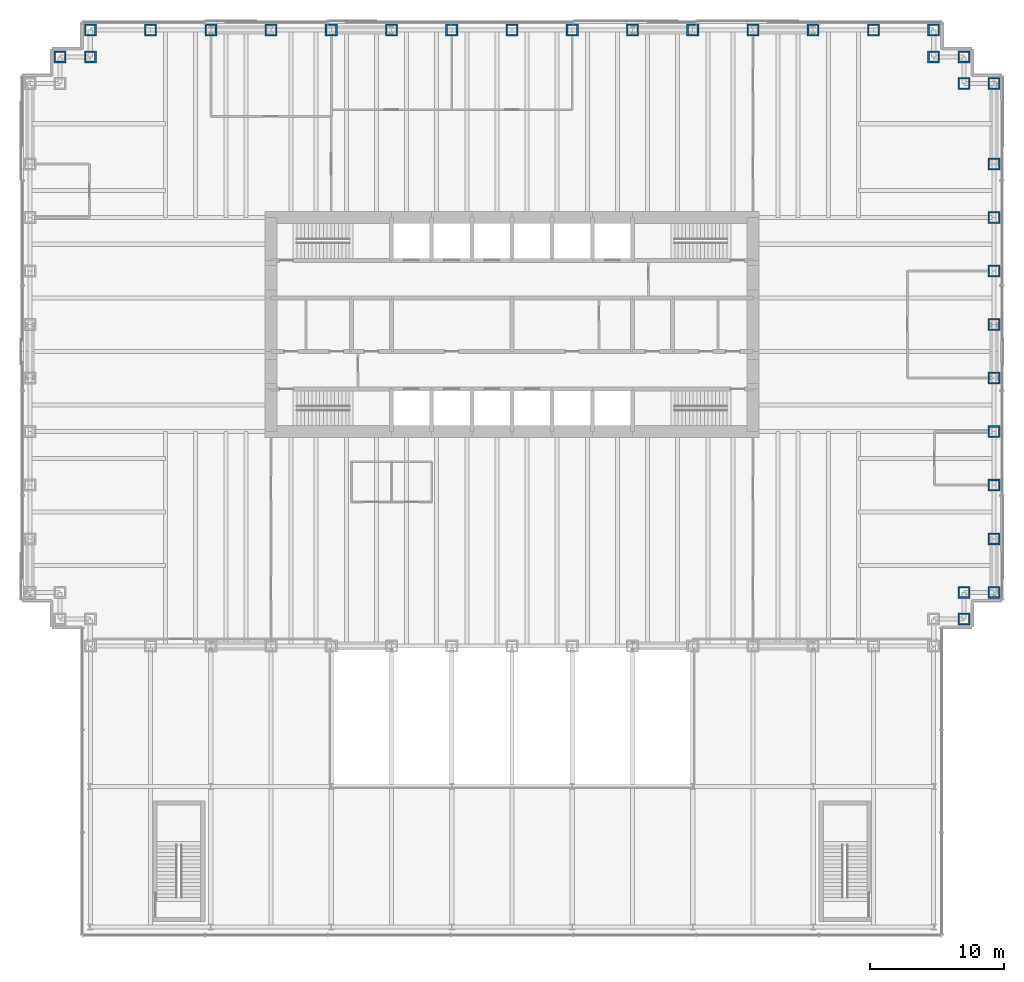
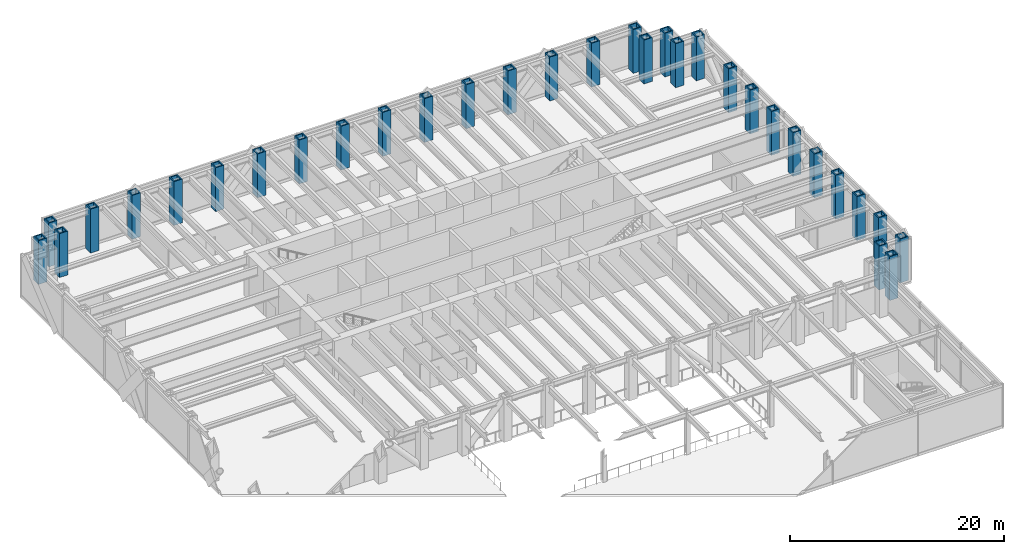
# One storey, part 2 of 17: 32 columns.
"""IFC4 building model written with IfcOpenShell, lengths in metres."""

from ifc_helpers import new_model, si_unit, direction, frame, origin, origin_2d, place, context, subcontext, project, spatial, hollow_rectangle, extrude, material, material_profile, profile_set, type_object, element, save


model = new_model("IFC4")

# Units and contexts
model_context = context("Model", 3, precision=1e-05, world=origin(), true_north=direction((0.0, 1.0)))
body_context = subcontext(model_context, "Body", "Model", "MODEL_VIEW")
ifc_project = project(units=[si_unit("LENGTHUNIT", "METRE"), si_unit("AREAUNIT", "SQUARE_METRE"), si_unit("VOLUMEUNIT", "CUBIC_METRE"), si_unit("PLANEANGLEUNIT", "RADIAN"), si_unit("MASSUNIT", "GRAM", prefix="KILO")], contexts=[model_context])

# Site, building, storey
site_placement = place(None, origin())
site = spatial("IfcSite", under=ifc_project, at=site_placement, CompositionType="ELEMENT")
building_placement = place(site_placement, origin())
building = spatial("IfcBuilding", under=site, at=building_placement, Name="Rheinbord Bourse Tower", CompositionType="ELEMENT")
storey_placement = place(building_placement, frame((0.0, 0.0, 18.0)))
storey = spatial("IfcBuildingStorey", under=building, at=storey_placement, Name="L03", CompositionType="ELEMENT", Elevation=18.0)

# Columns
ifc_material = material(Name="Steel S460M", Category="steel")
ifc_material_profile = material_profile(ifc_material, hollow_rectangle(XDim=0.89990234375, YDim=0.89990234375, WallThickness=0.1201171875, at=origin_2d()), Name="BOX 900x900x120")
ifc_profile_set = profile_set([ifc_material_profile], Name="Steel S460M")
column_type = type_object("IfcColumnType", Name="TUBE COLUMN BOX 900x900x120", PredefinedType="COLUMN", material=ifc_profile_set)
for number, where, z_axis, x_axis, name in (
    (1, (69.75, 2.0, 0.0), (0.0, 0.0, 1.0), (1.0, 0.0, 0.0), "Column SE-C L03"),
    (2, (69.75, 4.0, 0.0), (0.0, 0.0, 1.0), (1.0, 0.0, 0.0), "Column SE-B L03"),
    (3, (72.0, 4.0, 0.0), (0.0, 0.0, 1.0), (1.0, 0.0, 0.0), "Column SE-A L03"),
    (4, (72.0, 8.0, 0.0), (0.0, 0.0, 1.0), (1.0, 0.0, 0.0), "Column E-8 L03"),
    (5, (72.0, 12.0, 0.0), (0.0, 0.0, 1.0), (1.0, 0.0, 0.0), "Column E-12 L03"),
    (6, (72.0, 16.0, 0.0), (0.0, 0.0, 1.0), (1.0, 0.0, 0.0), "Column E-16 L03"),
    (7, (72.0, 20.0, 0.0), (0.0, 0.0, 1.0), (1.0, 0.0, 0.0), "Column E-20 L03"),
    (8, (72.0, 24.0, 0.0), (0.0, 0.0, 1.0), (1.0, 0.0, 0.0), "Column E-24 L03"),
    (9, (72.0, 28.0, 0.0), (0.0, 0.0, 1.0), (1.0, 0.0, 0.0), "Column E-28 L03"),
    (10, (72.0, 32.0, 0.0), (0.0, 0.0, 1.0), (1.0, 0.0, 0.0), "Column E-32 L03"),
    (11, (72.0, 36.0, 0.0), (0.0, 0.0, 1.0), (1.0, 0.0, 0.0), "Column E-36 L03"),
    (12, (72.0, 42.0, 0.0), (0.0, 0.0, 1.0), (1.0, 0.0, 0.0), "Column NE-A L03"),
    (13, (69.75, 42.0, 0.0), (0.0, 0.0, 1.0), (1.0, 0.0, 0.0), "Column NE-B L03"),
    (14, (69.75, 44.0, 0.0), (0.0, 0.0, 1.0), (1.0, 0.0, 0.0), "Column NE-C L03"),
    (15, (67.5, 44.0, 0.0), (0.0, 0.0, 1.0), (0.0, 1.0, 0.0), "Column NE-D L03"),
    (16, (67.5, 46.0, 0.0), (0.0, 0.0, 1.0), (0.0, 1.0, 0.0), "Column NE-E L03"),
    (17, (63.0, 46.0, 0.0), (0.0, 0.0, 1.0), (0.0, 1.0, 0.0), "Column N-63 L03"),
    (18, (58.5, 46.0, 0.0), (0.0, 0.0, 1.0), (0.0, 1.0, 0.0), "Column N-58.5 L03"),
    (19, (54.0, 46.0, 0.0), (0.0, 0.0, 1.0), (0.0, 1.0, 0.0), "Column N-54 L03"),
    (20, (49.5, 46.0, 0.0), (0.0, 0.0, 1.0), (0.0, 1.0, 0.0), "Column N-49.5 L03"),
    (21, (45.0, 46.0, 0.0), (0.0, 0.0, 1.0), (0.0, 1.0, 0.0), "Column N-45 L03"),
    (22, (40.5, 46.0, 0.0), (0.0, 0.0, 1.0), (0.0, 1.0, 0.0), "Column N-40.5 L03"),
    (23, (36.0, 46.0, 0.0), (0.0, 0.0, 1.0), (0.0, 1.0, 0.0), "Column N-36 L03"),
    (24, (31.5, 46.0, 0.0), (0.0, 0.0, 1.0), (0.0, 1.0, 0.0), "Column N-31.5 L03"),
    (25, (27.0, 46.0, 0.0), (0.0, 0.0, 1.0), (0.0, 1.0, 0.0), "Column N-27 L03"),
    (26, (22.5, 46.0, 0.0), (0.0, 0.0, 1.0), (0.0, 1.0, 0.0), "Column N-22.5 L03"),
    (27, (18.0, 46.0, 0.0), (0.0, 0.0, 1.0), (0.0, 1.0, 0.0), "Column N-18 L03"),
    (28, (13.5, 46.0, 0.0), (0.0, 0.0, 1.0), (0.0, 1.0, 0.0), "Column N-13.5 L03"),
    (29, (9.0, 46.0, 0.0), (0.0, 0.0, 1.0), (0.0, 1.0, 0.0), "Column N-9 L03"),
    (30, (4.5, 46.0, 0.0), (0.0, 0.0, 1.0), (0.0, 1.0, 0.0), "Column NW-E L03"),
    (31, (4.5, 44.0, 0.0), (0.0, 0.0, 1.0), (0.0, 1.0, 0.0), "Column NW-D L03"),
    (32, (2.25, 44.0, 0.0), (0.0, 0.0, 1.0), (1.0, 0.0, 0.0), "Column NW-C L03"),
):
    element("IfcColumn", number, at=place(storey_placement, frame(where, z_axis=z_axis, x_axis=x_axis)), inside=storey, type_object=column_type, Name=name, PredefinedType="COLUMN", context=body_context, shape_type="SweptSolid", body=[
        extrude(hollow_rectangle(XDim=0.89990234375, YDim=0.89990234375, WallThickness=0.1201171875, at=origin_2d()), origin(), (0.0, 0.0, 1.0), 5.0),
    ])

save(model, "model.ifc")
